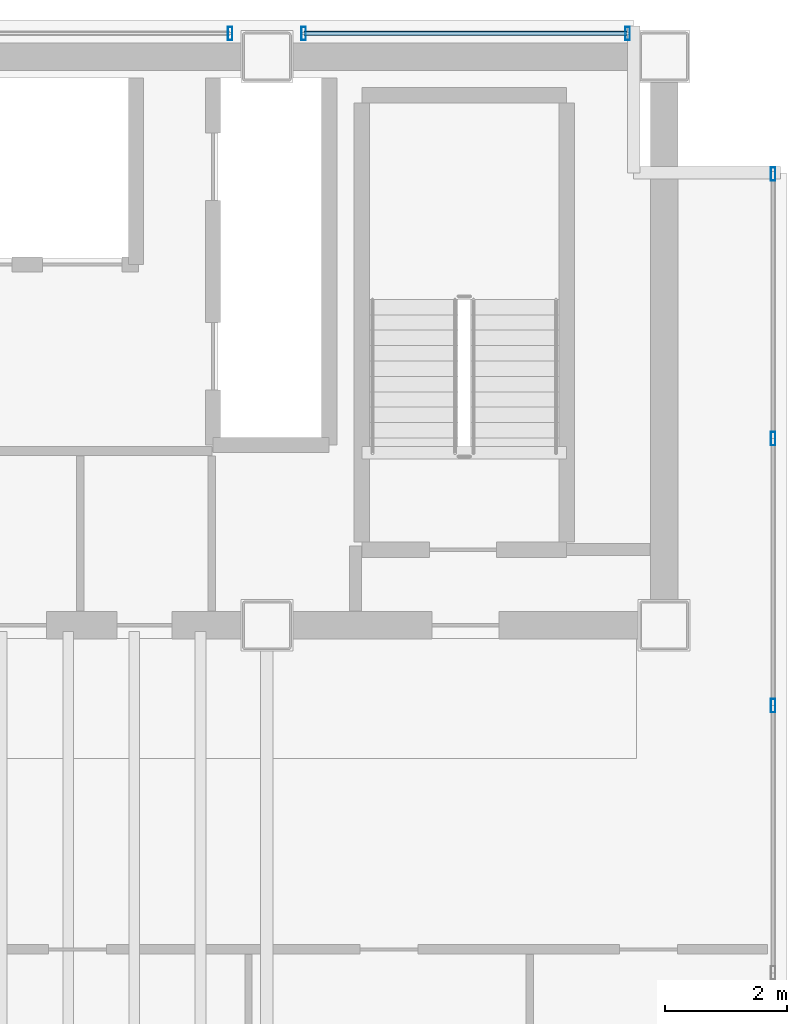
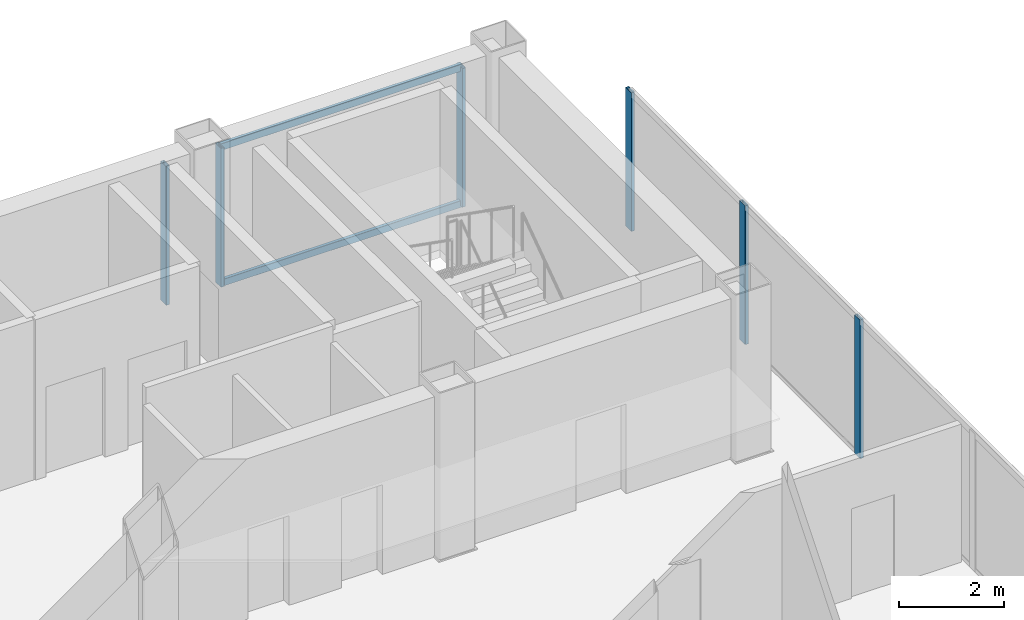
# One storey, part 12 of 17: 8 members, 3 elements without a shape of their own.
"""IFC4 building model written with IfcOpenShell, lengths in metres."""

from ifc_helpers import new_model, si_unit, direction, frame, origin, origin_2d, place, context, subcontext, project, spatial, hollow_rectangle, extrude, material, material_profile, profile_set, type_object, element, aggregate, save


model = new_model("IFC4")

# Units and contexts
model_context = context("Model", 3, precision=1e-05, world=origin(), true_north=direction((0.0, 1.0)))
body_context = subcontext(model_context, "Body", "Model", "MODEL_VIEW")
ifc_project = project(units=[si_unit("LENGTHUNIT", "METRE"), si_unit("AREAUNIT", "SQUARE_METRE"), si_unit("VOLUMEUNIT", "CUBIC_METRE"), si_unit("PLANEANGLEUNIT", "RADIAN"), si_unit("MASSUNIT", "GRAM", prefix="KILO")], contexts=[model_context])

# Site, building, storey
site_placement = place(None, origin())
site = spatial("IfcSite", under=ifc_project, at=site_placement, CompositionType="ELEMENT")
building_placement = place(site_placement, origin())
building = spatial("IfcBuilding", under=site, at=building_placement, Name="Noeulbin Bourse Tower", CompositionType="ELEMENT")
storey_placement = place(building_placement, frame((0.0, 0.0, 246.199951171875)))
storey = spatial("IfcBuildingStorey", under=building, at=storey_placement, Name="L61", CompositionType="ELEMENT", Elevation=246.199951171875)

# Curtain wall, member
ifc_material_1 = material(Name="High-Selectivity Low-Iron Glazing", Category="glass")
curtain_wall_type = type_object("IfcCurtainWallType", Name="CW-SYS-4", PredefinedType="NOTDEFINED", material=ifc_material_1)
curtain_wall_1_placement = place(storey_placement, origin())
curtain_wall_1 = element("IfcCurtainWall", 1, at=curtain_wall_1_placement, inside=storey, type_object=curtain_wall_type, Name="Unitised Curtain Wall CW-L61-N-S5", PredefinedType="NOTDEFINED")
ifc_material_2 = material(Name="Anodised Aluminium 6063-T6", Category="aluminium")
ifc_material_profile_1 = material_profile(ifc_material_2, hollow_rectangle(XDim=0.074951171875, YDim=0.219970703125, WallThickness=0.0048828125, InnerFilletRadius=0.00244140625, OuterFilletRadius=0.0048828125, at=origin_2d()), Name="ALU-MULL-75x220x5", Category="LoadBearing")
ifc_profile_set_1 = profile_set([ifc_material_profile_1], Name="Anodised Aluminium 6063-T6")
member_type_1 = type_object("IfcMemberType", Name="CW-SYS-4-MUL", PredefinedType="MULLION", material=ifc_profile_set_1)
member_1_placement = place(storey_placement, frame((36.89990234375, 38.679931640625, -0.02001953125), z_axis=(0.0, 0.0, 1.0), x_axis=(1.0, 0.0, 0.0)))
member_1 = element("IfcMember", 2, at=member_1_placement, type_object=member_type_1, Name="Curtain Wall Mullion CW-L61-N-S5-M01", PredefinedType="MULLION", context=body_context, shape_type="SweptSolid", body=[
    extrude(hollow_rectangle(XDim=0.074951171875, YDim=0.219970703125, WallThickness=0.0048828125, InnerFilletRadius=0.00244140625, OuterFilletRadius=0.0048828125, at=origin_2d()), origin(), (0.0, 0.0, 1.0), 3.219970703125),
])
aggregate(curtain_wall_1, [member_1])

# Curtain wall, members
curtain_wall_2_placement = place(storey_placement, origin())
curtain_wall_2 = element("IfcCurtainWall", 3, at=curtain_wall_2_placement, inside=storey, type_object=curtain_wall_type, Name="Unitised Curtain Wall CW-L61-N-S6", PredefinedType="NOTDEFINED")
member_2_placement = place(storey_placement, frame((38.10009765625, 38.679931640625, -0.02001953125), z_axis=(0.0, 0.0, 1.0), x_axis=(1.0, 0.0, 0.0)))
member_2 = element("IfcMember", 4, at=member_2_placement, type_object=member_type_1, Name="Curtain Wall Mullion CW-L61-N-S6-M00", PredefinedType="MULLION", context=body_context, shape_type="SweptSolid", body=[
    extrude(hollow_rectangle(XDim=0.074951171875, YDim=0.219970703125, WallThickness=0.0048828125, InnerFilletRadius=0.00244140625, OuterFilletRadius=0.0048828125, at=origin_2d()), origin(), (0.0, 0.0, 1.0), 3.219970703125),
])
member_3_placement = place(storey_placement, frame((43.39990234375, 38.679931640625, -0.02001953125), z_axis=(0.0, 0.0, 1.0), x_axis=(1.0, 0.0, 0.0)))
member_3 = element("IfcMember", 5, at=member_3_placement, type_object=member_type_1, Name="Curtain Wall Mullion CW-L61-N-S6-M01", PredefinedType="MULLION", context=body_context, shape_type="SweptSolid", body=[
    extrude(hollow_rectangle(XDim=0.074951171875, YDim=0.219970703125, WallThickness=0.0048828125, InnerFilletRadius=0.00244140625, OuterFilletRadius=0.0048828125, at=origin_2d()), origin(), (0.0, 0.0, 1.0), 3.219970703125),
])

curtain_wall_3_placement = place(storey_placement, origin())
curtain_wall_3 = element("IfcCurtainWall", 6, at=curtain_wall_3_placement, inside=storey, type_object=curtain_wall_type, Name="Unitised Curtain Wall CW-L61-E", PredefinedType="NOTDEFINED")
member_4_placement = place(storey_placement, frame((45.780029296875, 27.68408203125, -0.02001953125), z_axis=(0.0, 0.0, 1.0), x_axis=(1.0, 0.0, 0.0)))
member_4 = element("IfcMember", 7, at=member_4_placement, type_object=member_type_1, Name="Curtain Wall Mullion CW-L61-E-M03", PredefinedType="MULLION", context=body_context, shape_type="SweptSolid", body=[
    extrude(hollow_rectangle(XDim=0.074951171875, YDim=0.219970703125, WallThickness=0.0048828125, InnerFilletRadius=0.00244140625, OuterFilletRadius=0.0048828125, at=origin_2d()), origin(), (0.0, 0.0, 1.0), 3.219970703125),
])
member_5_placement = place(storey_placement, frame((45.780029296875, 32.052001953125, -0.02001953125), z_axis=(0.0, 0.0, 1.0), x_axis=(1.0, 0.0, 0.0)))
member_5 = element("IfcMember", 8, at=member_5_placement, type_object=member_type_1, Name="Curtain Wall Mullion CW-L61-E-M04", PredefinedType="MULLION", context=body_context, shape_type="SweptSolid", body=[
    extrude(hollow_rectangle(XDim=0.074951171875, YDim=0.219970703125, WallThickness=0.0048828125, InnerFilletRadius=0.00244140625, OuterFilletRadius=0.0048828125, at=origin_2d()), origin(), (0.0, 0.0, 1.0), 3.219970703125),
])
member_6_placement = place(storey_placement, frame((45.780029296875, 36.3798828125, -0.02001953125), z_axis=(0.0, 0.0, 1.0), x_axis=(1.0, 0.0, 0.0)))
member_6 = element("IfcMember", 9, at=member_6_placement, type_object=member_type_1, Name="Curtain Wall Mullion CW-L61-E-M05", PredefinedType="MULLION", context=body_context, shape_type="SweptSolid", body=[
    extrude(hollow_rectangle(XDim=0.074951171875, YDim=0.219970703125, WallThickness=0.0048828125, InnerFilletRadius=0.00244140625, OuterFilletRadius=0.0048828125, at=origin_2d()), origin(), (0.0, 0.0, 1.0), 3.219970703125),
])
aggregate(curtain_wall_3, [member_4, member_5, member_6])

# Member
ifc_material_profile_2 = material_profile(ifc_material_2, hollow_rectangle(XDim=0.074951171875, YDim=0.159912109375, WallThickness=0.0048828125, InnerFilletRadius=0.00244140625, OuterFilletRadius=0.0048828125, at=origin_2d()), Name="ALU-TRAN-75x160x5", Category="LoadBearing")
ifc_profile_set_2 = profile_set([ifc_material_profile_2], Name="Anodised Aluminium 6063-T6")
member_type_2 = type_object("IfcMemberType", Name="CW-SYS-4-TRN", PredefinedType="USERDEFINED", material=ifc_profile_set_2)
member_7_placement = place(storey_placement, frame((38.110107421875, 38.679931640625, 0.010009765625), z_axis=(1.0, 0.0, 0.0), x_axis=(0.0, 1.0, 0.0)))
member_7 = element("IfcMember", 10, at=member_7_placement, type_object=member_type_2, Name="Curtain Wall Transom CW-L61-N-S6-T00", ObjectType="TRANSOM", PredefinedType="USERDEFINED", context=body_context, shape_type="SweptSolid", body=[
    extrude(hollow_rectangle(XDim=0.074951171875, YDim=0.159912109375, WallThickness=0.0048828125, InnerFilletRadius=0.00244140625, OuterFilletRadius=0.0048828125, at=origin_2d()), origin(), (0.0, 0.0, 1.0), 5.27978515625),
])

member_8_placement = place(storey_placement, frame((38.110107421875, 38.679931640625, 3.170166015625), z_axis=(1.0, 0.0, 0.0), x_axis=(0.0, 1.0, 0.0)))
member_8 = element("IfcMember", 11, at=member_8_placement, type_object=member_type_2, Name="Curtain Wall Transom CW-L61-N-S6-T01", ObjectType="TRANSOM", PredefinedType="USERDEFINED", context=body_context, shape_type="SweptSolid", body=[
    extrude(hollow_rectangle(XDim=0.074951171875, YDim=0.159912109375, WallThickness=0.0048828125, InnerFilletRadius=0.00244140625, OuterFilletRadius=0.0048828125, at=origin_2d()), origin(), (0.0, 0.0, 1.0), 5.27978515625),
])

aggregate(curtain_wall_2, [member_2, member_3, member_7, member_8])

save(model, "model.ifc")
